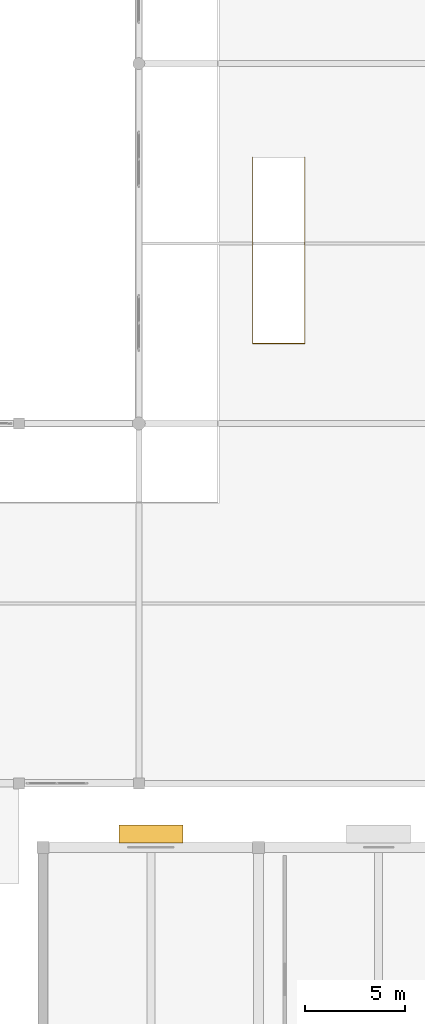
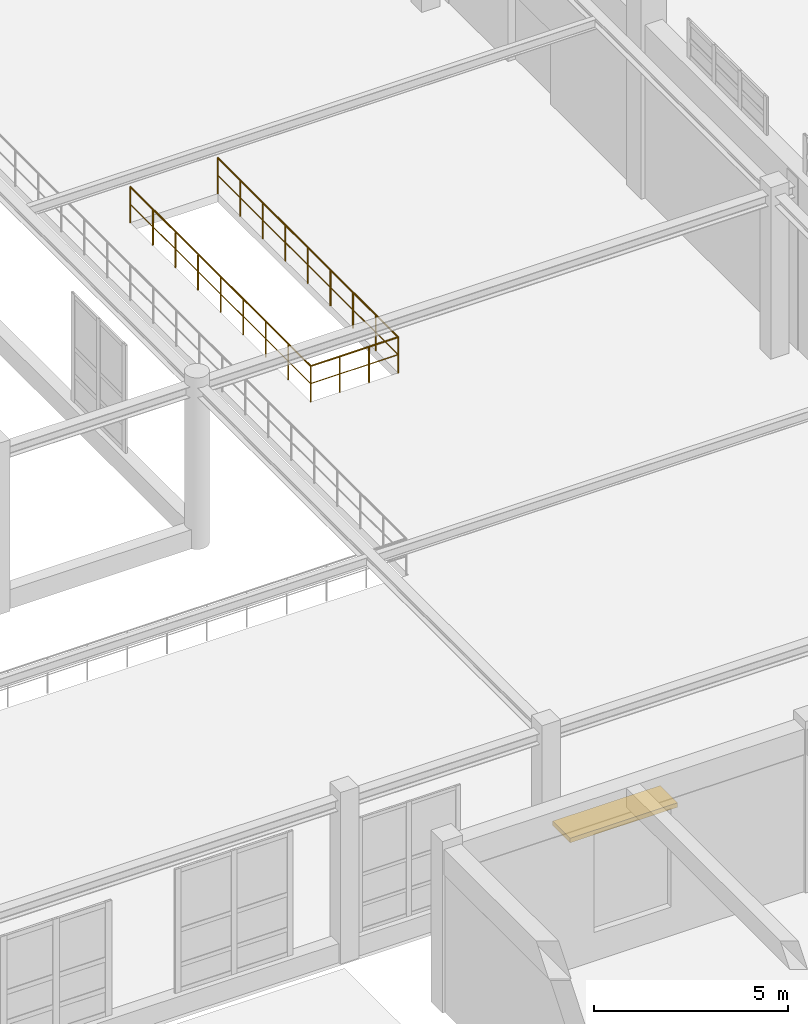
# One storey, part 189 of 197: 1 railing, 1 shading device.
"""IFC4 building model written with IfcOpenShell, lengths in metres."""

from ifc_helpers import new_model, si_unit, derived_unit, direction, frame, origin, origin_2d, place, context, subcontext, project, spatial, rectangle, circle, extrude, material, type_object, element, save


model = new_model("IFC4")

# Units and contexts
model_context = context("Model", 3, precision=1e-05, world=origin(), true_north=direction((0.0, 1.0)))
body_context = subcontext(model_context, "Body", "Model", "MODEL_VIEW")
ifc_project = project(units=[si_unit("LENGTHUNIT", "METRE"), si_unit("AREAUNIT", "SQUARE_METRE"), si_unit("VOLUMEUNIT", "CUBIC_METRE"), si_unit("PLANEANGLEUNIT", "RADIAN"), si_unit("MASSUNIT", "GRAM", prefix="KILO"), derived_unit("THERMALTRANSMITTANCEUNIT", [(si_unit("POWERUNIT", "WATT"), 1), (si_unit("LENGTHUNIT", "METRE"), -2), (si_unit("THERMODYNAMICTEMPERATUREUNIT", "KELVIN"), -1)])], contexts=[model_context])

# Site, building, storey
site_placement = place(None, origin())
site = spatial("IfcSite", under=ifc_project, at=site_placement, CompositionType="ELEMENT")
building_placement = place(site_placement, origin())
building = spatial("IfcBuilding", under=site, at=building_placement, Name="Almenara Railside Exhibition Hall", CompositionType="ELEMENT")
storey_placement = place(building_placement, frame((0.0, 0.0, 5.39990234375)))
storey = spatial("IfcBuildingStorey", under=building, at=storey_placement, Name="L01", CompositionType="ELEMENT", Elevation=5.39990234375)

# Railing
ifc_material_1 = material(Name="Bronze-capped laminated glass balustrade", Category="glass")
railing_type = type_object("IfcRailingType", Name="Gallery Overlook Glazed Balustrade 1150mm", PredefinedType="BALUSTRADE", material=ifc_material_1)
railing_placement = place(storey_placement, frame((125.699951171875, 67.300048828125, 0.0)))
element("IfcRailing", 1, at=railing_placement, inside=storey, type_object=railing_type, Name="Guard balustrade 0029", PredefinedType="BALUSTRADE", context=body_context, shape_type="SweptSolid", body=[
    extrude(circle(Radius=0.02392578125, at=origin_2d()), frame((0.0, 0.0, 1.1259765625), z_axis=(0.0, -1.0, 0.0), x_axis=(1.0, 0.0, 0.0)), (0.0, 0.0, 1.0), 9.300048828125),
    extrude(circle(Radius=0.01416015625, at=origin_2d()), frame((0.0, 0.0, 0.574951171875), z_axis=(0.0, -1.0, 0.0), x_axis=(1.0, 0.0, 0.0)), (0.0, 0.0, 1.0), 9.300048828125),
    extrude(circle(Radius=0.02392578125, at=origin_2d()), frame((0.0, -9.300048828125, 1.1259765625), z_axis=(1.0, 0.0, 0.0), x_axis=(0.0, 1.0, 0.0)), (0.0, 0.0, 1.0), 2.60009765625),
    extrude(circle(Radius=0.01416015625, at=origin_2d()), frame((0.0, -9.300048828125, 0.574951171875), z_axis=(1.0, 0.0, 0.0), x_axis=(0.0, 1.0, 0.0)), (0.0, 0.0, 1.0), 2.60009765625),
    extrude(circle(Radius=0.02392578125, at=origin_2d()), frame((2.60009765625, -9.300048828125, 1.1259765625), z_axis=(0.0, 1.0, 0.0), x_axis=(-1.0, 0.0, 0.0)), (0.0, 0.0, 1.0), 9.300048828125),
    extrude(circle(Radius=0.01416015625, at=origin_2d()), frame((2.60009765625, -9.300048828125, 0.574951171875), z_axis=(0.0, 1.0, 0.0), x_axis=(-1.0, 0.0, 0.0)), (0.0, 0.0, 1.0), 9.300048828125),
    extrude(circle(Radius=0.02099609375, at=origin_2d()), origin(), (0.0, 0.0, 1.0), 1.101806640625),
    extrude(circle(Radius=0.02099609375, at=origin_2d()), frame((0.0, -1.16259765625, 0.0)), (0.0, 0.0, 1.0), 1.101806640625),
    extrude(circle(Radius=0.02099609375, at=origin_2d()), frame((0.0, -2.324951171875, 0.0)), (0.0, 0.0, 1.0), 1.101806640625),
    extrude(circle(Radius=0.02099609375, at=origin_2d()), frame((0.0, -3.487548828125, 0.0)), (0.0, 0.0, 1.0), 1.101806640625),
    extrude(circle(Radius=0.02099609375, at=origin_2d()), frame((0.0, -4.64990234375, 0.0)), (0.0, 0.0, 1.0), 1.101806640625),
    extrude(circle(Radius=0.02099609375, at=origin_2d()), frame((0.0, -5.8125, 0.0)), (0.0, 0.0, 1.0), 1.101806640625),
    extrude(circle(Radius=0.02099609375, at=origin_2d()), frame((0.0, -6.97509765625, 0.0)), (0.0, 0.0, 1.0), 1.101806640625),
    extrude(circle(Radius=0.02099609375, at=origin_2d()), frame((0.0, -8.137451171875, 0.0)), (0.0, 0.0, 1.0), 1.101806640625),
    extrude(circle(Radius=0.02099609375, at=origin_2d()), frame((0.0, -9.300048828125, 0.0)), (0.0, 0.0, 1.0), 1.101806640625),
    extrude(circle(Radius=0.02099609375, at=origin_2d()), frame((0.86669921875, -9.300048828125, 0.0)), (0.0, 0.0, 1.0), 1.101806640625),
    extrude(circle(Radius=0.02099609375, at=origin_2d()), frame((1.7333984375, -9.300048828125, 0.0)), (0.0, 0.0, 1.0), 1.101806640625),
    extrude(circle(Radius=0.02099609375, at=origin_2d()), frame((2.60009765625, -9.300048828125, 0.0)), (0.0, 0.0, 1.0), 1.101806640625),
    extrude(circle(Radius=0.02099609375, at=origin_2d()), frame((2.60009765625, -8.137451171875, 0.0)), (0.0, 0.0, 1.0), 1.101806640625),
    extrude(circle(Radius=0.02099609375, at=origin_2d()), frame((2.60009765625, -6.97509765625, 0.0)), (0.0, 0.0, 1.0), 1.101806640625),
    extrude(circle(Radius=0.02099609375, at=origin_2d()), frame((2.60009765625, -5.8125, 0.0)), (0.0, 0.0, 1.0), 1.101806640625),
    extrude(circle(Radius=0.02099609375, at=origin_2d()), frame((2.60009765625, -4.64990234375, 0.0)), (0.0, 0.0, 1.0), 1.101806640625),
    extrude(circle(Radius=0.02099609375, at=origin_2d()), frame((2.60009765625, -3.487548828125, 0.0)), (0.0, 0.0, 1.0), 1.101806640625),
    extrude(circle(Radius=0.02099609375, at=origin_2d()), frame((2.60009765625, -2.324951171875, 0.0)), (0.0, 0.0, 1.0), 1.101806640625),
    extrude(circle(Radius=0.02099609375, at=origin_2d()), frame((2.60009765625, -1.16259765625, 0.0)), (0.0, 0.0, 1.0), 1.101806640625),
    extrude(circle(Radius=0.02099609375, at=origin_2d()), frame((2.60009765625, 0.0, 0.0)), (0.0, 0.0, 1.0), 1.101806640625),
])

# Shading device
ifc_material_2 = material(Name="Bronze-anodised aluminium solar brise-soleil", Category="aluminium")
shading_device_type = type_object("IfcShadingDeviceType", Name="North Solar Brise-Soleil Hood 900mm", PredefinedType="USERDEFINED", material=ifc_material_2)
shading_device_placement = place(storey_placement, frame((120.60009765625, 33.47509765625, 3.6103515625), z_axis=(0.0, 0.0, 1.0), x_axis=(-1.0, 0.0, 0.0)))
element("IfcShadingDevice", 2, at=shading_device_placement, inside=storey, type_object=shading_device_type, Name="Solar brise-soleil 0021", ObjectType="BRISE_SOLEIL", PredefinedType="USERDEFINED", context=body_context, shape_type="SweptSolid", body=[
    extrude(rectangle(XDim=3.199951171875, YDim=0.89990234375, at=origin_2d()), origin(), (0.0, 0.0, 1.0), 0.139892578125),
])

save(model, "model.ifc")
